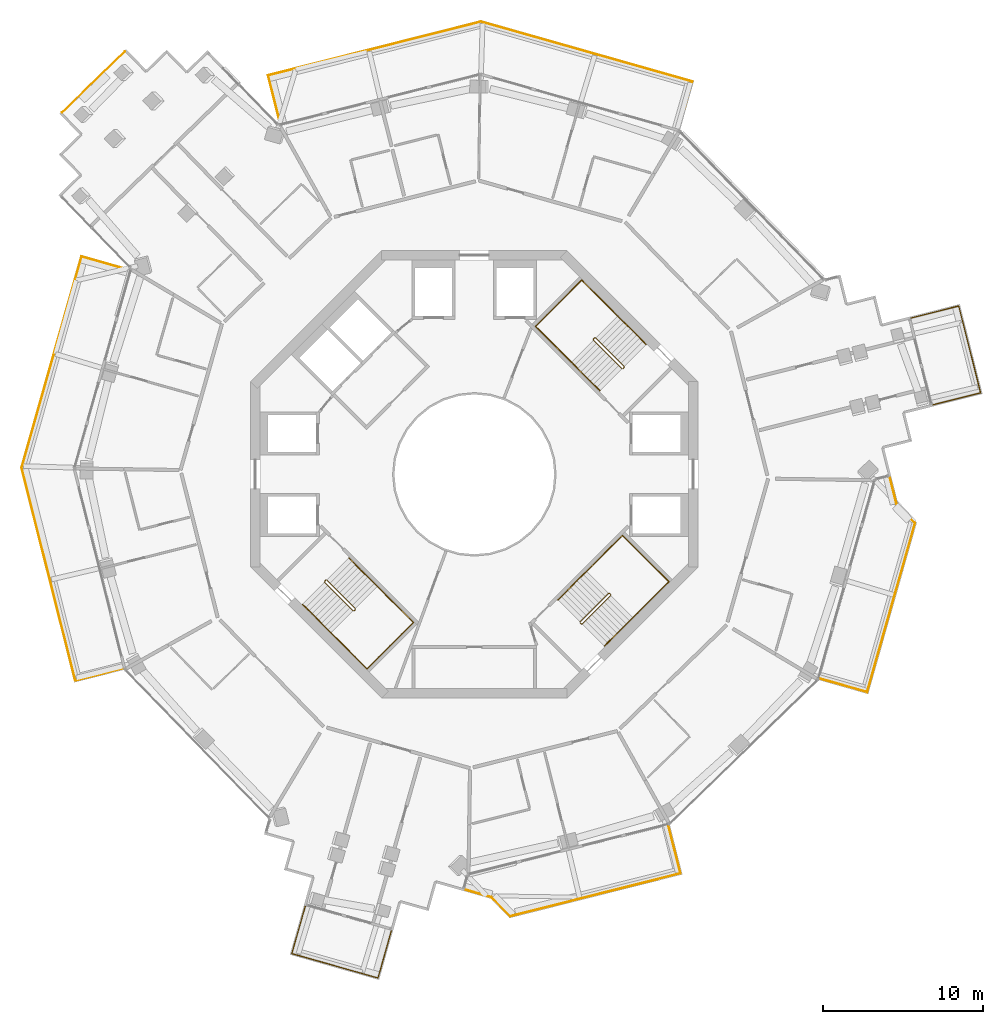
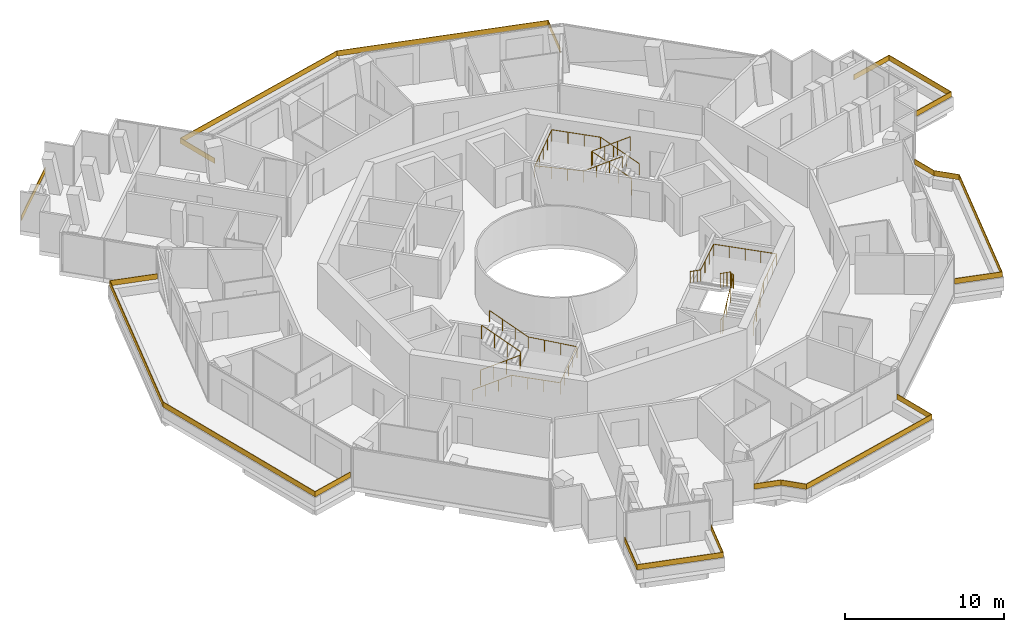
# One storey, part 24 of 24: 13 railings.
"""IFC4 building model written with IfcOpenShell, lengths in metres."""

from ifc_helpers import new_model, si_unit, direction, frame, origin, origin_2d, place, context, subcontext, project, spatial, polyline, rectangle, circle, outline, extrude, material, layer, layer_set, type_object, element, save


model = new_model("IFC4")

# Units and contexts
model_context = context("Model", 3, precision=1e-05, world=origin(), true_north=direction((0.0, 1.0)))
body_context = subcontext(model_context, "Body", "Model", "MODEL_VIEW")
ifc_project = project(units=[si_unit("LENGTHUNIT", "METRE"), si_unit("AREAUNIT", "SQUARE_METRE"), si_unit("VOLUMEUNIT", "CUBIC_METRE"), si_unit("PLANEANGLEUNIT", "RADIAN"), si_unit("MASSUNIT", "GRAM", prefix="KILO")], contexts=[model_context])

# Site, building, storey
site_placement = place(None, origin())
site = spatial("IfcSite", under=ifc_project, at=site_placement, CompositionType="ELEMENT")
building_placement = place(site_placement, origin())
building = spatial("IfcBuilding", under=site, at=building_placement, Name="Verdalira Terraces Hotel", CompositionType="ELEMENT")
storey_placement = place(building_placement, frame((0.0, 0.0, 212.5)))
storey = spatial("IfcBuildingStorey", under=building, at=storey_placement, Name="L52", CompositionType="ELEMENT", Elevation=212.5)

# Railings
ifc_material_1 = material(Name="Laminated glass", Category="glass")
ifc_layer = layer(ifc_material_1, 0.0400390625)
ifc_layer_set = layer_set([ifc_layer], Name="Balcony glass guard 400")
railing_type_1 = type_object("IfcRailingType", Name="Balcony glass guard 400", PredefinedType="GUARDRAIL", material=ifc_layer_set)
railing_1_placement = place(storey_placement, frame((0.0, 0.0, 0.699951)))
element("IfcRailing", 1, at=railing_1_placement, inside=storey, type_object=railing_type_1, Name="Balcony glass guard", PredefinedType="GUARDRAIL", context=body_context, shape_type="SweptSolid", body=[
    extrude(outline(polyline([(-24.558838, 13.599854), (-28.299561, 0.415039), (-24.947021, -12.874023), (-21.961426, -12.120605), (-21.95166, -12.159424), (-24.97583, -12.922607), (-28.341064, 0.415527), (-24.586426, 13.64917), (-21.585693, 12.797852), (-21.59668, 12.759277), (-24.558838, 13.599854)])), origin(), (0.0, 0.0, 1.0), 0.400146),
])
railing_2_placement = place(storey_placement, frame((0.0, 0.0, 0.699951)))
element("IfcRailing", 2, at=railing_2_placement, inside=storey, type_object=railing_type_1, Name="Balcony glass guard", PredefinedType="GUARDRAIL", context=body_context, shape_type="SweptSolid", body=[
    extrude(outline(polyline([(-11.39209, -29.966797), (-6.043213, -31.484375), (-5.202881, -28.522217), (-5.164307, -28.533203), (-6.015625, -31.533691), (-11.441406, -29.994385), (-10.590088, -26.993652), (-10.551758, -27.004639), (-11.39209, -29.966797)])), origin(), (0.0, 0.0, 1.0), 0.400146),
])
railing_3_placement = place(storey_placement, frame((0.0, 0.0, 0.699951)))
element("IfcRailing", 3, at=railing_3_placement, inside=storey, type_object=railing_type_1, Name="Balcony glass guard", PredefinedType="GUARDRAIL", context=body_context, shape_type="SweptSolid", body=[
    extrude(outline(polyline([(1.088867, -26.439453), (2.243896, -27.628906), (12.874023, -24.947021), (12.120605, -21.961426), (12.159424, -21.95166), (12.922607, -24.97583), (2.231201, -27.67334), (1.067627, -26.475098), (-0.618408, -25.996826), (-0.607422, -25.958252), (1.088867, -26.439453)])), origin(), (0.0, 0.0, 1.0), 0.400146),
])
railing_4_placement = place(storey_placement, frame((0.0, 0.0, 0.699951)))
element("IfcRailing", 4, at=railing_4_placement, inside=storey, type_object=railing_type_1, Name="Balcony glass guard", PredefinedType="GUARDRAIL", context=body_context, shape_type="SweptSolid", body=[
    extrude(outline(polyline([(24.558838, -13.599854), (27.55127, -3.052979), (26.39624, -1.863525), (25.964844, -0.153809), (26.003662, -0.144043), (26.432373, -1.843262), (27.595947, -3.041504), (24.586426, -13.64917), (21.585693, -12.797852), (21.59668, -12.759277), (24.558838, -13.599854)])), origin(), (0.0, 0.0, 1.0), 0.400146),
])
railing_5_placement = place(storey_placement, frame((0.0, 0.0, 0.699951)))
element("IfcRailing", 5, at=railing_5_placement, inside=storey, type_object=railing_type_1, Name="Balcony glass guard", PredefinedType="GUARDRAIL", context=body_context, shape_type="SweptSolid", body=[
    extrude(outline(polyline([(31.647949, 5.117676), (30.287842, 10.508545), (27.30249, 9.755371), (27.292725, 9.794189), (30.316895, 10.557129), (31.696533, 5.088623), (28.672363, 4.325439), (28.662598, 4.364258), (31.647949, 5.117676)])), origin(), (0.0, 0.0, 1.0), 0.400146),
])
railing_6_placement = place(storey_placement, frame((0.0, 0.0, 0.699951)))
element("IfcRailing", 6, at=railing_6_placement, inside=storey, type_object=railing_type_1, Name="Balcony glass guard", PredefinedType="GUARDRAIL", context=body_context, shape_type="SweptSolid", body=[
    extrude(outline(polyline([(13.599854, 24.558838), (0.415039, 28.299561), (-12.874023, 24.947021), (-12.120605, 21.961426), (-12.159424, 21.95166), (-12.922607, 24.97583), (0.415527, 28.341064), (13.64917, 24.586426), (12.797852, 21.585693), (12.759277, 21.59668), (13.599854, 24.558838)])), origin(), (0.0, 0.0, 1.0), 0.400146),
])
railing_7_placement = place(storey_placement, frame((-23.832275, 24.541504, 0.699951), z_axis=(0.0, 0.0, 1.0), x_axis=(-0.717397146, -0.696664435, 0.0)))
element("IfcRailing", 7, at=railing_7_placement, inside=storey, type_object=railing_type_1, Name="Loggia glass guard", PredefinedType="GUARDRAIL", context=body_context, shape_type="SweptSolid", body=[
    extrude(rectangle(XDim=5.5, YDim=0.040039, at=origin_2d()), origin(), (0.0, 0.0, 1.0), 0.399902),
])
ifc_material_2 = material(Name="Stainless steel", Category="steel")
railing_type_2 = type_object("IfcRailingType", Name="Stair guard 1100", PredefinedType="GUARDRAIL", material=ifc_material_2)
railing_8_placement = place(storey_placement, frame((9.369141, 6.682129, 0.0)))
element("IfcRailing", 8, at=railing_8_placement, inside=storey, type_object=railing_type_2, Name="L52 ST1 stair guard 1", PredefinedType="GUARDRAIL", context=body_context, shape_type="SweptSolid", body=[
    extrude(circle(Radius=0.023926, at=origin_2d()), frame((0.0, 0.0, 1.076172), z_axis=(-0.707106781, -0.707106781, 0.0), x_axis=(0.707106781, -0.707106781, 0.0)), (0.0, 0.0, 1.0), 0.100098),
    extrude(circle(Radius=0.023926, at=origin_2d()), frame((-0.070801, -0.070801, 1.076172), z_axis=(0.299976798, 0.599953596, 0.741666773), x_axis=(-0.894427191, 0.447213596, 0.0)), (0.0, 0.0, 1.0), 0.236084),
    extrude(circle(Radius=0.023926, at=origin_2d()), frame((0.0, 0.070801, 1.250977), z_axis=(-0.599667044, 0.599584886, 0.529997548), x_axis=(-0.707058338, -0.707155221, 0.0)), (0.0, 0.0, 1.0), 2.97168),
    extrude(circle(Radius=0.023926, at=origin_2d()), frame((-1.781982, 1.852539, 2.826172), z_axis=(-1.0, 0.0, 0.0), x_axis=(0.0, -1.0, 0.0)), (0.0, 0.0, 1.0), 0.070557),
    extrude(circle(Radius=0.023926, at=origin_2d()), frame((-1.852539, 1.852539, 2.826172), z_axis=(-0.70832698, -0.705884473, 0.0), x_axis=(0.705884473, -0.70832698, 0.0)), (0.0, 0.0, 1.0), 0.099854),
    extrude(circle(Radius=0.023926, at=origin_2d()), frame((-1.92334, 1.781982, 2.826172), z_axis=(0.0, -0.374954687, 0.92704314), x_axis=(1.0, 0.0, 0.0)), (0.0, 0.0, 1.0), 0.188721),
    extrude(circle(Radius=0.023926, at=origin_2d()), frame((-1.92334, 1.711182, 3.000977), z_axis=(0.599637504, -0.599637504, 0.52997144), x_axis=(0.707106781, 0.707106781, 0.0)), (0.0, 0.0, 1.0), 2.97168),
    extrude(circle(Radius=0.020996, at=origin_2d()), origin(), (0.0, 0.0, 1.0), 1.052002),
    extrude(circle(Radius=0.020996, at=origin_2d()), frame((-0.070801, -0.070801, 0.0)), (0.0, 0.0, 1.0), 1.052002),
    extrude(circle(Radius=0.020996, at=origin_2d()), frame((0.0, 0.070801, 0.175049)), (0.0, 0.0, 1.0), 1.052002),
    extrude(circle(Radius=0.020996, at=origin_2d()), frame((-0.593994, 0.664795, 0.699951)), (0.0, 0.0, 1.0), 1.052002),
    extrude(circle(Radius=0.020996, at=origin_2d()), frame((-1.187988, 1.258545, 1.225098)), (0.0, 0.0, 1.0), 1.052002),
    extrude(circle(Radius=0.020996, at=origin_2d()), frame((-1.781982, 1.852539, 1.75)), (0.0, 0.0, 1.0), 1.052002),
    extrude(circle(Radius=0.020996, at=origin_2d()), frame((-1.852539, 1.852539, 1.75)), (0.0, 0.0, 1.0), 1.052002),
    extrude(circle(Radius=0.020996, at=origin_2d()), frame((-1.92334, 1.781982, 1.75)), (0.0, 0.0, 1.0), 1.052002),
    extrude(circle(Radius=0.020996, at=origin_2d()), frame((-1.92334, 1.711182, 1.925049)), (0.0, 0.0, 1.0), 1.052002),
    extrude(circle(Radius=0.020996, at=origin_2d()), frame((-1.329346, 1.117188, 2.449951)), (0.0, 0.0, 1.0), 1.052002),
    extrude(circle(Radius=0.020996, at=origin_2d()), frame((-0.735352, 0.523193, 2.975098)), (0.0, 0.0, 1.0), 1.052002),
    extrude(circle(Radius=0.020996, at=origin_2d()), frame((-0.141357, -0.070801, 3.5)), (0.0, 0.0, 1.0), 1.052002),
])
railing_9_placement = place(storey_placement, frame((-9.369141, -6.682129, 0.0)))
element("IfcRailing", 9, at=railing_9_placement, inside=storey, type_object=railing_type_2, Name="L52 ST2 stair guard 1", PredefinedType="GUARDRAIL", context=body_context, shape_type="SweptSolid", body=[
    extrude(circle(Radius=0.023926, at=origin_2d()), frame((0.0, 0.0, 1.076172), z_axis=(0.707106781, 0.707106781, 0.0), x_axis=(-0.707106781, 0.707106781, 0.0)), (0.0, 0.0, 1.0), 0.100098),
    extrude(circle(Radius=0.023926, at=origin_2d()), frame((0.070801, 0.070801, 1.076172), z_axis=(-0.299976798, -0.599953596, 0.741666773), x_axis=(0.894427191, -0.447213596, 0.0)), (0.0, 0.0, 1.0), 0.236084),
    extrude(circle(Radius=0.023926, at=origin_2d()), frame((0.0, -0.070801, 1.250977), z_axis=(0.599667044, -0.599584886, 0.529997548), x_axis=(0.707058338, 0.707155221, 0.0)), (0.0, 0.0, 1.0), 2.97168),
    extrude(circle(Radius=0.023926, at=origin_2d()), frame((1.781982, -1.852539, 2.826172), z_axis=(1.0, 0.0, 0.0), x_axis=(0.0, 1.0, 0.0)), (0.0, 0.0, 1.0), 0.070557),
    extrude(circle(Radius=0.023926, at=origin_2d()), frame((1.852539, -1.852539, 2.826172), z_axis=(0.70832698, 0.705884473, 0.0), x_axis=(-0.705884473, 0.70832698, 0.0)), (0.0, 0.0, 1.0), 0.099854),
    extrude(circle(Radius=0.023926, at=origin_2d()), frame((1.92334, -1.781982, 2.826172), z_axis=(0.0, 0.374954687, 0.92704314), x_axis=(-1.0, 0.0, 0.0)), (0.0, 0.0, 1.0), 0.188721),
    extrude(circle(Radius=0.023926, at=origin_2d()), frame((1.92334, -1.711182, 3.000977), z_axis=(-0.599637504, 0.599637504, 0.52997144), x_axis=(-0.707106781, -0.707106781, 0.0)), (0.0, 0.0, 1.0), 2.97168),
    extrude(circle(Radius=0.020996, at=origin_2d()), origin(), (0.0, 0.0, 1.0), 1.052002),
    extrude(circle(Radius=0.020996, at=origin_2d()), frame((0.070801, 0.070801, 0.0)), (0.0, 0.0, 1.0), 1.052002),
    extrude(circle(Radius=0.020996, at=origin_2d()), frame((0.0, -0.070801, 0.175049)), (0.0, 0.0, 1.0), 1.052002),
    extrude(circle(Radius=0.020996, at=origin_2d()), frame((0.593994, -0.664795, 0.699951)), (0.0, 0.0, 1.0), 1.052002),
    extrude(circle(Radius=0.020996, at=origin_2d()), frame((1.187988, -1.258545, 1.225098)), (0.0, 0.0, 1.0), 1.052002),
    extrude(circle(Radius=0.020996, at=origin_2d()), frame((1.781982, -1.852539, 1.75)), (0.0, 0.0, 1.0), 1.052002),
    extrude(circle(Radius=0.020996, at=origin_2d()), frame((1.852539, -1.852539, 1.75)), (0.0, 0.0, 1.0), 1.052002),
    extrude(circle(Radius=0.020996, at=origin_2d()), frame((1.92334, -1.781982, 1.75)), (0.0, 0.0, 1.0), 1.052002),
    extrude(circle(Radius=0.020996, at=origin_2d()), frame((1.92334, -1.711182, 1.925049)), (0.0, 0.0, 1.0), 1.052002),
    extrude(circle(Radius=0.020996, at=origin_2d()), frame((1.329346, -1.117188, 2.449951)), (0.0, 0.0, 1.0), 1.052002),
    extrude(circle(Radius=0.020996, at=origin_2d()), frame((0.735352, -0.523193, 2.975098)), (0.0, 0.0, 1.0), 1.052002),
    extrude(circle(Radius=0.020996, at=origin_2d()), frame((0.141357, 0.070801, 3.5)), (0.0, 0.0, 1.0), 1.052002),
])
railing_10_placement = place(storey_placement, frame((6.682129, -9.369141, 0.0)))
element("IfcRailing", 10, at=railing_10_placement, inside=storey, type_object=railing_type_2, Name="L52 ST3 stair guard 1", PredefinedType="GUARDRAIL", context=body_context, shape_type="SweptSolid", body=[
    extrude(circle(Radius=0.023926, at=origin_2d()), frame((0.0, 0.0, 1.076172), z_axis=(-0.707106781, 0.707106781, 0.0), x_axis=(-0.707106781, -0.707106781, 0.0)), (0.0, 0.0, 1.0), 0.100098),
    extrude(circle(Radius=0.023926, at=origin_2d()), frame((-0.070801, 0.070801, 1.076172), z_axis=(0.599953596, -0.299976798, 0.741666773), x_axis=(0.447213596, 0.894427191, 0.0)), (0.0, 0.0, 1.0), 0.236084),
    extrude(circle(Radius=0.023926, at=origin_2d()), frame((0.070801, 0.0, 1.250977), z_axis=(0.599584886, 0.599667044, 0.529997548), x_axis=(-0.707155221, 0.707058338, 0.0)), (0.0, 0.0, 1.0), 2.97168),
    extrude(circle(Radius=0.023926, at=origin_2d()), frame((1.852539, 1.781982, 2.826172), z_axis=(0.0, 1.0, 0.0), x_axis=(-1.0, 0.0, 0.0)), (0.0, 0.0, 1.0), 0.070557),
    extrude(circle(Radius=0.023926, at=origin_2d()), frame((1.852539, 1.852539, 2.826172), z_axis=(-0.705884473, 0.70832698, 0.0), x_axis=(-0.70832698, -0.705884473, 0.0)), (0.0, 0.0, 1.0), 0.099854),
    extrude(circle(Radius=0.023926, at=origin_2d()), frame((1.781982, 1.92334, 2.826172), z_axis=(-0.374954687, 0.0, 0.92704314), x_axis=(0.0, -1.0, 0.0)), (0.0, 0.0, 1.0), 0.188721),
    extrude(circle(Radius=0.023926, at=origin_2d()), frame((1.711182, 1.92334, 3.000977), z_axis=(-0.599637504, -0.599637504, 0.52997144), x_axis=(0.707106781, -0.707106781, 0.0)), (0.0, 0.0, 1.0), 2.97168),
    extrude(circle(Radius=0.020996, at=origin_2d()), origin(), (0.0, 0.0, 1.0), 1.052002),
    extrude(circle(Radius=0.020996, at=origin_2d()), frame((-0.070801, 0.070801, 0.0)), (0.0, 0.0, 1.0), 1.052002),
    extrude(circle(Radius=0.020996, at=origin_2d()), frame((0.070801, 0.0, 0.175049)), (0.0, 0.0, 1.0), 1.052002),
    extrude(circle(Radius=0.020996, at=origin_2d()), frame((0.664795, 0.593994, 0.699951)), (0.0, 0.0, 1.0), 1.052002),
    extrude(circle(Radius=0.020996, at=origin_2d()), frame((1.258545, 1.187988, 1.225098)), (0.0, 0.0, 1.0), 1.052002),
    extrude(circle(Radius=0.020996, at=origin_2d()), frame((1.852539, 1.781982, 1.75)), (0.0, 0.0, 1.0), 1.052002),
    extrude(circle(Radius=0.020996, at=origin_2d()), frame((1.852539, 1.852539, 1.75)), (0.0, 0.0, 1.0), 1.052002),
    extrude(circle(Radius=0.020996, at=origin_2d()), frame((1.781982, 1.92334, 1.75)), (0.0, 0.0, 1.0), 1.052002),
    extrude(circle(Radius=0.020996, at=origin_2d()), frame((1.711182, 1.92334, 1.925049)), (0.0, 0.0, 1.0), 1.052002),
    extrude(circle(Radius=0.020996, at=origin_2d()), frame((1.117188, 1.329346, 2.449951)), (0.0, 0.0, 1.0), 1.052002),
    extrude(circle(Radius=0.020996, at=origin_2d()), frame((0.523193, 0.735352, 2.975098)), (0.0, 0.0, 1.0), 1.052002),
    extrude(circle(Radius=0.020996, at=origin_2d()), frame((-0.070801, 0.141357, 3.5)), (0.0, 0.0, 1.0), 1.052002),
])
ifc_material_3 = material(Name="Stainless steel", Category="steel")
railing_type_3 = type_object("IfcRailingType", Name="Stair handrail 900", PredefinedType="HANDRAIL", material=ifc_material_3)
railing_11_placement = place(storey_placement, frame((10.748047, 8.131836, 0.175049)))
element("IfcRailing", 11, at=railing_11_placement, inside=storey, type_object=railing_type_3, Name="L52 ST1 stair handrail 1", PredefinedType="HANDRAIL", context=body_context, shape_type="SweptSolid", body=[
    extrude(circle(Radius=0.023926, at=origin_2d()), frame((0.0, 0.0, 0.875977), z_axis=(-0.599667044, 0.599584886, 0.529997548), x_axis=(-0.707058338, -0.707155221, 0.0)), (0.0, 0.0, 1.0), 2.97168),
    extrude(circle(Radius=0.023926, at=origin_2d()), frame((-1.781982, 1.781738, 2.450684), z_axis=(-0.707068394, 0.707145166, 0.0), x_axis=(-0.707145166, -0.707068394, 0.0)), (0.0, 0.0, 1.0), 3.180176),
    extrude(circle(Radius=0.023926, at=origin_2d()), frame((-4.030518, 4.030518, 2.450684), z_axis=(-0.707106781, -0.707106781, 0.0), x_axis=(0.707106781, -0.707106781, 0.0)), (0.0, 0.0, 1.0), 4.100098),
    extrude(circle(Radius=0.023926, at=origin_2d()), frame((-6.929688, 1.131348, 2.450684), z_axis=(0.705999616, -0.706076271, 0.054962185), x_axis=(0.707145166, 0.707068394, 0.0)), (0.0, 0.0, 1.0), 3.184814),
    extrude(circle(Radius=0.023926, at=origin_2d()), frame((-4.681152, -1.117432, 2.625977), z_axis=(0.599667044, -0.599584886, 0.529997548), x_axis=(0.707058338, 0.707155221, 0.0)), (0.0, 0.0, 1.0), 2.97168),
    extrude(circle(Radius=0.020996, at=origin_2d()), origin(), (0.0, 0.0, 1.0), 0.851807),
    extrude(circle(Radius=0.020996, at=origin_2d()), frame((-0.593994, 0.593994, 0.524902)), (0.0, 0.0, 1.0), 0.851807),
    extrude(circle(Radius=0.020996, at=origin_2d()), frame((-1.187988, 1.187744, 1.050049)), (0.0, 0.0, 1.0), 0.851807),
    extrude(circle(Radius=0.020996, at=origin_2d()), frame((-1.781982, 1.781738, 1.574951)), (0.0, 0.0, 1.0), 0.851807),
    extrude(circle(Radius=0.020996, at=origin_2d()), frame((-2.531494, 2.53125, 1.574951)), (0.0, 0.0, 1.0), 0.851807),
    extrude(circle(Radius=0.020996, at=origin_2d()), frame((-3.281006, 3.281006, 1.574951)), (0.0, 0.0, 1.0), 0.851807),
    extrude(circle(Radius=0.020996, at=origin_2d()), frame((-4.030518, 4.030518, 1.574951)), (0.0, 0.0, 1.0), 0.851807),
    extrude(circle(Radius=0.020996, at=origin_2d()), frame((-4.755371, 3.305664, 1.574951)), (0.0, 0.0, 1.0), 0.851807),
    extrude(circle(Radius=0.020996, at=origin_2d()), frame((-5.47998, 2.581055, 1.574951)), (0.0, 0.0, 1.0), 0.851807),
    extrude(circle(Radius=0.020996, at=origin_2d()), frame((-6.204834, 1.856201, 1.574951)), (0.0, 0.0, 1.0), 0.851807),
    extrude(circle(Radius=0.020996, at=origin_2d()), frame((-6.929688, 1.131348, 1.574951)), (0.0, 0.0, 1.0), 0.851807),
    extrude(circle(Radius=0.020996, at=origin_2d()), frame((-6.180176, 0.381836, 1.633301)), (0.0, 0.0, 1.0), 0.851807),
    extrude(circle(Radius=0.020996, at=origin_2d()), frame((-5.430664, -0.36792, 1.69165)), (0.0, 0.0, 1.0), 0.851807),
    extrude(circle(Radius=0.020996, at=origin_2d()), frame((-4.681152, -1.117432, 1.75)), (0.0, 0.0, 1.0), 0.851807),
    extrude(circle(Radius=0.020996, at=origin_2d()), frame((-4.087158, -1.711426, 2.274902)), (0.0, 0.0, 1.0), 0.851807),
    extrude(circle(Radius=0.020996, at=origin_2d()), frame((-3.493164, -2.305176, 2.800049)), (0.0, 0.0, 1.0), 0.851807),
    extrude(circle(Radius=0.020996, at=origin_2d()), frame((-2.89917, -2.89917, 3.324951)), (0.0, 0.0, 1.0), 0.851807),
])
railing_12_placement = place(storey_placement, frame((-10.748047, -8.131836, 0.175049)))
element("IfcRailing", 12, at=railing_12_placement, inside=storey, type_object=railing_type_3, Name="L52 ST2 stair handrail 1", PredefinedType="HANDRAIL", context=body_context, shape_type="SweptSolid", body=[
    extrude(circle(Radius=0.023926, at=origin_2d()), frame((0.0, 0.0, 0.875977), z_axis=(0.599667044, -0.599584886, 0.529997548), x_axis=(0.707058338, 0.707155221, 0.0)), (0.0, 0.0, 1.0), 2.97168),
    extrude(circle(Radius=0.023926, at=origin_2d()), frame((1.781982, -1.781738, 2.450684), z_axis=(0.707068394, -0.707145166, 0.0), x_axis=(0.707145166, 0.707068394, 0.0)), (0.0, 0.0, 1.0), 3.180176),
    extrude(circle(Radius=0.023926, at=origin_2d()), frame((4.030518, -4.030518, 2.450684), z_axis=(0.707106781, 0.707106781, 0.0), x_axis=(-0.707106781, 0.707106781, 0.0)), (0.0, 0.0, 1.0), 4.100098),
    extrude(circle(Radius=0.023926, at=origin_2d()), frame((6.929688, -1.131348, 2.450684), z_axis=(-0.705999616, 0.706076271, 0.054962185), x_axis=(-0.707145166, -0.707068394, 0.0)), (0.0, 0.0, 1.0), 3.184814),
    extrude(circle(Radius=0.023926, at=origin_2d()), frame((4.681152, 1.117432, 2.625977), z_axis=(-0.599667044, 0.599584886, 0.529997548), x_axis=(-0.707058338, -0.707155221, 0.0)), (0.0, 0.0, 1.0), 2.97168),
    extrude(circle(Radius=0.020996, at=origin_2d()), origin(), (0.0, 0.0, 1.0), 0.851807),
    extrude(circle(Radius=0.020996, at=origin_2d()), frame((0.593994, -0.593994, 0.524902)), (0.0, 0.0, 1.0), 0.851807),
    extrude(circle(Radius=0.020996, at=origin_2d()), frame((1.187988, -1.187744, 1.050049)), (0.0, 0.0, 1.0), 0.851807),
    extrude(circle(Radius=0.020996, at=origin_2d()), frame((1.781982, -1.781738, 1.574951)), (0.0, 0.0, 1.0), 0.851807),
    extrude(circle(Radius=0.020996, at=origin_2d()), frame((2.531494, -2.53125, 1.574951)), (0.0, 0.0, 1.0), 0.851807),
    extrude(circle(Radius=0.020996, at=origin_2d()), frame((3.281006, -3.281006, 1.574951)), (0.0, 0.0, 1.0), 0.851807),
    extrude(circle(Radius=0.020996, at=origin_2d()), frame((4.030518, -4.030518, 1.574951)), (0.0, 0.0, 1.0), 0.851807),
    extrude(circle(Radius=0.020996, at=origin_2d()), frame((4.755371, -3.305664, 1.574951)), (0.0, 0.0, 1.0), 0.851807),
    extrude(circle(Radius=0.020996, at=origin_2d()), frame((5.47998, -2.581055, 1.574951)), (0.0, 0.0, 1.0), 0.851807),
    extrude(circle(Radius=0.020996, at=origin_2d()), frame((6.204834, -1.856201, 1.574951)), (0.0, 0.0, 1.0), 0.851807),
    extrude(circle(Radius=0.020996, at=origin_2d()), frame((6.929688, -1.131348, 1.574951)), (0.0, 0.0, 1.0), 0.851807),
    extrude(circle(Radius=0.020996, at=origin_2d()), frame((6.180176, -0.381836, 1.633301)), (0.0, 0.0, 1.0), 0.851807),
    extrude(circle(Radius=0.020996, at=origin_2d()), frame((5.430664, 0.36792, 1.69165)), (0.0, 0.0, 1.0), 0.851807),
    extrude(circle(Radius=0.020996, at=origin_2d()), frame((4.681152, 1.117432, 1.75)), (0.0, 0.0, 1.0), 0.851807),
    extrude(circle(Radius=0.020996, at=origin_2d()), frame((4.087158, 1.711426, 2.274902)), (0.0, 0.0, 1.0), 0.851807),
    extrude(circle(Radius=0.020996, at=origin_2d()), frame((3.493164, 2.305176, 2.800049)), (0.0, 0.0, 1.0), 0.851807),
    extrude(circle(Radius=0.020996, at=origin_2d()), frame((2.89917, 2.89917, 3.324951)), (0.0, 0.0, 1.0), 0.851807),
])
railing_13_placement = place(storey_placement, frame((8.131836, -10.748047, 0.175049)))
element("IfcRailing", 13, at=railing_13_placement, inside=storey, type_object=railing_type_3, Name="L52 ST3 stair handrail 1", PredefinedType="HANDRAIL", context=body_context, shape_type="SweptSolid", body=[
    extrude(circle(Radius=0.023926, at=origin_2d()), frame((0.0, 0.0, 0.875977), z_axis=(0.599584886, 0.599667044, 0.529997548), x_axis=(-0.707155221, 0.707058338, 0.0)), (0.0, 0.0, 1.0), 2.97168),
    extrude(circle(Radius=0.023926, at=origin_2d()), frame((1.781738, 1.781982, 2.450684), z_axis=(0.707145166, 0.707068394, 0.0), x_axis=(-0.707068394, 0.707145166, 0.0)), (0.0, 0.0, 1.0), 3.180176),
    extrude(circle(Radius=0.023926, at=origin_2d()), frame((4.030518, 4.030518, 2.450684), z_axis=(-0.707106781, 0.707106781, 0.0), x_axis=(-0.707106781, -0.707106781, 0.0)), (0.0, 0.0, 1.0), 4.100098),
    extrude(circle(Radius=0.023926, at=origin_2d()), frame((1.131348, 6.929688, 2.450684), z_axis=(-0.706076271, -0.705999616, 0.054962185), x_axis=(0.707068394, -0.707145166, 0.0)), (0.0, 0.0, 1.0), 3.184814),
    extrude(circle(Radius=0.023926, at=origin_2d()), frame((-1.117432, 4.681152, 2.625977), z_axis=(-0.599584886, -0.599667044, 0.529997548), x_axis=(0.707155221, -0.707058338, 0.0)), (0.0, 0.0, 1.0), 2.97168),
    extrude(circle(Radius=0.020996, at=origin_2d()), origin(), (0.0, 0.0, 1.0), 0.851807),
    extrude(circle(Radius=0.020996, at=origin_2d()), frame((0.593994, 0.593994, 0.524902)), (0.0, 0.0, 1.0), 0.851807),
    extrude(circle(Radius=0.020996, at=origin_2d()), frame((1.187744, 1.187988, 1.050049)), (0.0, 0.0, 1.0), 0.851807),
    extrude(circle(Radius=0.020996, at=origin_2d()), frame((1.781738, 1.781982, 1.574951)), (0.0, 0.0, 1.0), 0.851807),
    extrude(circle(Radius=0.020996, at=origin_2d()), frame((2.53125, 2.531494, 1.574951)), (0.0, 0.0, 1.0), 0.851807),
    extrude(circle(Radius=0.020996, at=origin_2d()), frame((3.281006, 3.281006, 1.574951)), (0.0, 0.0, 1.0), 0.851807),
    extrude(circle(Radius=0.020996, at=origin_2d()), frame((4.030518, 4.030518, 1.574951)), (0.0, 0.0, 1.0), 0.851807),
    extrude(circle(Radius=0.020996, at=origin_2d()), frame((3.305664, 4.755371, 1.574951)), (0.0, 0.0, 1.0), 0.851807),
    extrude(circle(Radius=0.020996, at=origin_2d()), frame((2.581055, 5.47998, 1.574951)), (0.0, 0.0, 1.0), 0.851807),
    extrude(circle(Radius=0.020996, at=origin_2d()), frame((1.856201, 6.204834, 1.574951)), (0.0, 0.0, 1.0), 0.851807),
    extrude(circle(Radius=0.020996, at=origin_2d()), frame((1.131348, 6.929688, 1.574951)), (0.0, 0.0, 1.0), 0.851807),
    extrude(circle(Radius=0.020996, at=origin_2d()), frame((0.381836, 6.180176, 1.633301)), (0.0, 0.0, 1.0), 0.851807),
    extrude(circle(Radius=0.020996, at=origin_2d()), frame((-0.36792, 5.430664, 1.69165)), (0.0, 0.0, 1.0), 0.851807),
    extrude(circle(Radius=0.020996, at=origin_2d()), frame((-1.117432, 4.681152, 1.75)), (0.0, 0.0, 1.0), 0.851807),
    extrude(circle(Radius=0.020996, at=origin_2d()), frame((-1.711426, 4.087158, 2.274902)), (0.0, 0.0, 1.0), 0.851807),
    extrude(circle(Radius=0.020996, at=origin_2d()), frame((-2.305176, 3.493164, 2.800049)), (0.0, 0.0, 1.0), 0.851807),
    extrude(circle(Radius=0.020996, at=origin_2d()), frame((-2.89917, 2.89917, 3.324951)), (0.0, 0.0, 1.0), 0.851807),
])

save(model, "model.ifc")
